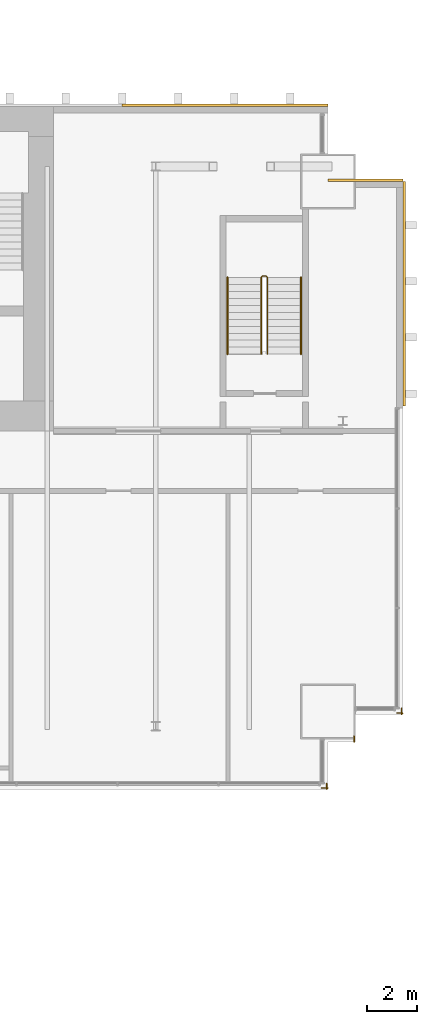
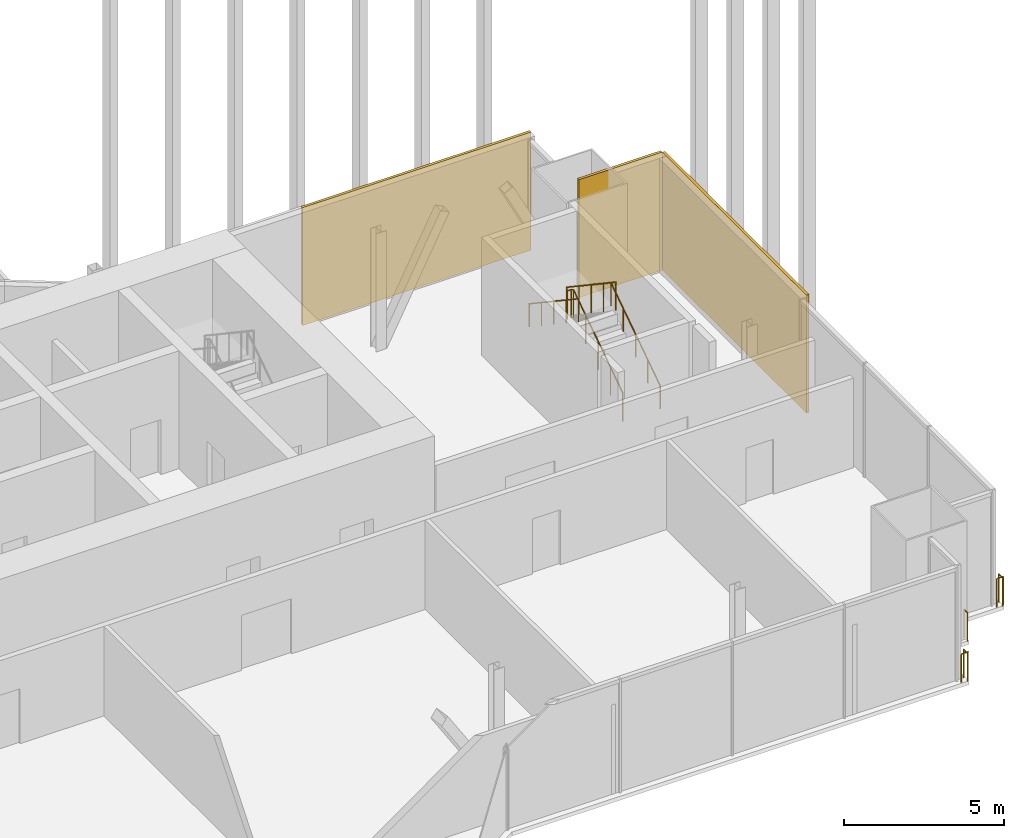
# One storey, part 22 of 22: 6 railings, 3 coverings.
"""IFC4 building model written with IfcOpenShell, lengths in metres."""

import ifcopenshell
import ifcopenshell.guid

model = None  # the IFC model being written
_history = None  # IfcOwnerHistory: only IFC2X3 demands one
_inside = {}  # id of a spatial element -> (the spatial element, [elements in it])
_under = {}  # id of a project, library or spatial element -> (it, [spatial elements below it])
_declared = {}  # id of a project -> (the project, [libraries it declares])
_typed = {}  # id of a type object -> (the type object, [elements of that type])
_made_of = {}  # id of a material, layer set ... -> (it, [elements and type objects made of it])


def new_model(schema):
    """Start an empty IFC model of exactly this schema.

    Asked for "IFC4X3", IfcOpenShell would pick the latest addendum, in which some entities
    have other attributes; the version numbers below select the first issue.
    IFC2X3 requires an IfcOwnerHistory on every rooted entity: one is made here for all.
    """
    global model, _history
    if schema == "IFC4X3":
        model = ifcopenshell.file(schema_version=(4, 3, 0, 0))
    else:
        model = ifcopenshell.file(schema=schema)
    _inside.clear()
    _under.clear()
    _declared.clear()
    _typed.clear()
    _made_of.clear()
    _history = None
    if model.schema == "IFC2X3":
        org = make("IfcOrganization", Name="unknown")
        user = make(
            "IfcPersonAndOrganization",
            ThePerson=make("IfcPerson", FamilyName="unknown"),
            TheOrganization=org,
        )
        app = make(
            "IfcApplication",
            ApplicationDeveloper=org,
            Version="unknown",
            ApplicationFullName="unknown",
            ApplicationIdentifier="unknown",
        )
        _history = make(
            "IfcOwnerHistory",
            OwningUser=user,
            OwningApplication=app,
            ChangeAction="ADDED",
            CreationDate=0,
        )
    return model


def make(cls, **values):
    """One entity of the class cls with the attributes given. An attribute that is None is left unset."""
    return model.create_entity(
        cls, **{name: value for name, value in values.items() if value is not None}
    )


def rooted(cls, **values):
    """An entity with a GlobalId (a new one), such as an element, a storey or a relation."""
    return make(cls, GlobalId=ifcopenshell.guid.new(), OwnerHistory=_history, **values)


def si_unit(unit_type, name, prefix=None):
    """IfcSIUnit, for example si_unit("LENGTHUNIT", "METRE", prefix="MILLI")."""
    return make("IfcSIUnit", UnitType=unit_type, Prefix=prefix, Name=name)


def assignment(units):
    """IfcUnitAssignment: the units of a project."""
    return None if units is None else make("IfcUnitAssignment", Units=units)


def point(xyz):
    """IfcCartesianPoint."""
    return None if xyz is None else make("IfcCartesianPoint", Coordinates=xyz)


def direction(xyz):
    """IfcDirection."""
    return None if xyz is None else make("IfcDirection", DirectionRatios=xyz)


def frame(location, z_axis=None, x_axis=None):
    """IfcAxis2Placement3D, a coordinate frame: its origin and axes. An axis left out is left unset."""
    return make(
        "IfcAxis2Placement3D",
        Location=point(location),
        Axis=direction(z_axis),
        RefDirection=direction(x_axis),
    )


def frame_2d(location, x_axis=None):
    """IfcAxis2Placement2D, a coordinate frame in the plane: its origin and x axis."""
    return make(
        "IfcAxis2Placement2D", Location=point(location), RefDirection=direction(x_axis)
    )


def origin():
    """The frame at (0, 0, 0) with its axes left unset."""
    return frame((0.0, 0.0, 0.0))


def origin_2d():
    """The frame at (0, 0) in the plane with its x axis left unset."""
    return frame_2d((0.0, 0.0))


def place(relative_to, where):
    """IfcLocalPlacement: puts the frame where relative to a parent placement (None: the world)."""
    return make(
        "IfcLocalPlacement", PlacementRelTo=relative_to, RelativePlacement=where
    )


def context(
    kind, dimensions, precision=None, world=None, true_north=None, identifier=None
):
    """IfcGeometricRepresentationContext, for example the 3D "Model" context."""
    return make(
        "IfcGeometricRepresentationContext",
        ContextIdentifier=identifier,
        ContextType=kind,
        CoordinateSpaceDimension=dimensions,
        Precision=precision,
        WorldCoordinateSystem=world,
        TrueNorth=true_north,
    )


def subcontext(parent, identifier, kind, view, scale=None):
    """IfcGeometricRepresentationSubContext, for example "Body" below "Model"."""
    return make(
        "IfcGeometricRepresentationSubContext",
        ContextIdentifier=identifier,
        ContextType=kind,
        ParentContext=parent,
        TargetScale=scale,
        TargetView=view,
    )


def project(units=None, contexts=None):
    """IfcProject with its units and contexts."""
    return rooted(
        "IfcProject",
        Name="project",
        RepresentationContexts=contexts,
        UnitsInContext=assignment(units),
    )


def spatial(cls, under=None, at=None, **own):
    """A site, building, storey or space (cls), placed at a placement, below another one or the project."""
    s = rooted(cls, ObjectPlacement=at, **own)
    if under is not None:
        _under.setdefault(under.id(), (under, []))[1].append(s)
    return s


def profile(cls, at=None, kind="AREA", **sizes):
    """A parametric profile (cls). Its sizes go by their IFC names, for example OverallWidth=200.0."""
    return make(cls, ProfileType=kind, Position=at, **sizes)


def rectangle(**sizes):
    """IfcRectangleProfileDef."""
    return profile("IfcRectangleProfileDef", **sizes)


def circle(**sizes):
    """IfcCircleProfileDef."""
    return profile("IfcCircleProfileDef", **sizes)


def extrude(swept, where, along, depth):
    """IfcExtrudedAreaSolid: the profile swept, set in the frame where, extruded along a direction by depth."""
    return make(
        "IfcExtrudedAreaSolid",
        SweptArea=swept,
        Position=where,
        ExtrudedDirection=direction(along),
        Depth=depth,
    )


def shape(context_of_items, identifier, shape_type, items):
    """IfcShapeRepresentation: the items that make up one representation, for example the "Body"."""
    return make(
        "IfcShapeRepresentation",
        ContextOfItems=context_of_items,
        RepresentationIdentifier=identifier,
        RepresentationType=shape_type,
        Items=items,
    )


def material(Name=None, Category=None):
    """IfcMaterial."""
    return make("IfcMaterial", Name=Name, Category=Category)


def layer(
    of_material, thickness, ventilated=None, Name=None, Category=None, Priority=None
):
    """IfcMaterialLayer: one layer of a wall or slab, of a material (None: an air gap)."""
    return make(
        "IfcMaterialLayer",
        Material=of_material,
        LayerThickness=thickness,
        IsVentilated=ventilated,
        Name=Name,
        Category=Category,
        Priority=Priority,
    )


def layer_set(layers, Name=None):
    """IfcMaterialLayerSet."""
    return make("IfcMaterialLayerSet", MaterialLayers=layers, LayerSetName=Name)


def made_of(thing, what):
    """Note that an element or type object is made of a material, layer set ...; save() writes the relation."""
    if what is not None:
        _made_of.setdefault(what.id(), (what, []))[1].append(thing)
    return thing


def type_object(cls, material=None, **own):
    """A type object (cls), such as IfcWallType, which elements share."""
    return made_of(rooted(cls, **own), material)


def element(
    cls,
    number,
    at=None,
    inside=None,
    cuts=None,
    type_object=None,
    material=None,
    context=None,
    identifier="Body",
    shape_type=None,
    held_by="IfcProductDefinitionShape",
    body=None,
    shapes=None,
    **own,
):
    """One element of the class cls, such as IfcWall. Its Tag is "e" and its number.

    at: its placement. inside: the storey or other place that contains it. cuts: it is an
    opening in that element (IfcRelVoidsElement). A single representation is given by context,
    identifier, shape_type and body (its items); several are given by shapes. held_by: the class
    of the entity that holds the representations. save() writes the other relations.
    """
    e = rooted(cls, Tag="e%d" % number, ObjectPlacement=at, **own)
    if body is not None:
        shapes = [shape(context, identifier, shape_type, body)]
    if shapes is not None:
        e.Representation = make(held_by, Representations=shapes)
    if inside is not None:
        _inside.setdefault(inside.id(), (inside, []))[1].append(e)
    if cuts is not None:
        rooted(
            "IfcRelVoidsElement", RelatingBuildingElement=cuts, RelatedOpeningElement=e
        )
    if type_object is not None:
        _typed.setdefault(type_object.id(), (type_object, []))[1].append(e)
    return made_of(e, material)


def aggregate(whole, parts):
    """IfcRelAggregates: a whole, such as a stair, and the parts it consists of."""
    return rooted("IfcRelAggregates", RelatingObject=whole, RelatedObjects=parts)


def save(model, path):
    """Write the relations noted so far, then the file.

    IfcRelAggregates (storeys below a building ...), IfcRelContainedInSpatialStructure (elements
    in a storey), IfcRelDefinesByType, IfcRelAssociatesMaterial and IfcRelDeclares: one each for
    every whole, place, type object, material and project.
    """
    for whole, parts in _under.values():
        aggregate(whole, parts)
    for where, things in _inside.values():
        rooted(
            "IfcRelContainedInSpatialStructure",
            RelatedElements=things,
            RelatingStructure=where,
        )
    for kind, things in _typed.values():
        rooted("IfcRelDefinesByType", RelatedObjects=things, RelatingType=kind)
    for what, things in _made_of.values():
        rooted("IfcRelAssociatesMaterial", RelatedObjects=things, RelatingMaterial=what)
    for by, libraries in _declared.values():
        rooted("IfcRelDeclares", RelatingContext=by, RelatedDefinitions=libraries)
    model.write(path)


model = new_model("IFC4")

# Units and contexts
model_context = context("Model", 3, precision=1e-05, world=origin(), true_north=direction((0.0, 1.0)))
body_context = subcontext(model_context, "Body", "Model", "MODEL_VIEW")
ifc_project = project(units=[si_unit("LENGTHUNIT", "METRE"), si_unit("AREAUNIT", "SQUARE_METRE"), si_unit("VOLUMEUNIT", "CUBIC_METRE"), si_unit("PLANEANGLEUNIT", "RADIAN"), si_unit("MASSUNIT", "GRAM", prefix="KILO")], contexts=[model_context])

# Site, building, storey
site_placement = place(None, origin())
site = spatial("IfcSite", under=ifc_project, at=site_placement, CompositionType="ELEMENT")
building_placement = place(site_placement, origin())
building = spatial("IfcBuilding", under=site, at=building_placement, Name="Bicima Exchange Tower", CompositionType="ELEMENT")
storey_placement = place(building_placement, frame((0.0, 0.0, 293.0)))
storey = spatial("IfcBuildingStorey", under=building, at=storey_placement, Name="L66", CompositionType="ELEMENT", Elevation=293.0)

# Coverings
ifc_material_1 = material(Name="Bronze metal cladding")
ifc_layer_1 = layer(ifc_material_1, 0.004)
ifc_material_2 = material(Name="Ventilated cavity")
ifc_layer_2 = layer(ifc_material_2, 0.06)
ifc_material_3 = material(Name="Galvanised steel rail and mineral wool", Category="steel")
ifc_layer_3 = layer(ifc_material_3, 0.036)
ifc_layer_set = layer_set([ifc_layer_1, ifc_layer_2, ifc_layer_3], Name="Ventilated cavity")
covering_type = type_object("IfcCoveringType", Name="Bronze metal cladding panel 100", PredefinedType="CLADDING", material=ifc_layer_set)
covering_1_placement = place(storey_placement, frame((28.875, 0.050048828125, -0.14990234375), z_axis=(0.0, 0.0, 1.0), x_axis=(-1.0, 0.0, 0.0)))
element("IfcCovering", 1, at=covering_1_placement, inside=storey, type_object=covering_type, Name="Bronze cladding L66 1.1", PredefinedType="CLADDING", context=body_context, shape_type="SweptSolid", body=[
    extrude(rectangle(XDim=8.25, YDim=0.10009765625, at=origin_2d()), origin(), (0.0, 0.0, 1.0), 4.5),
])
covering_2_placement = place(storey_placement, frame((36.050048828125, -7.5, -0.14990234375), z_axis=(0.0, 0.0, 1.0), x_axis=(0.0, 1.0, 0.0)))
element("IfcCovering", 2, at=covering_2_placement, inside=storey, type_object=covering_type, Name="Bronze cladding L66 50.1", PredefinedType="CLADDING", context=body_context, shape_type="SweptSolid", body=[
    extrude(rectangle(XDim=9.0, YDim=0.10009765625, at=origin_2d()), origin(), (0.0, 0.0, 1.0), 4.5),
])
covering_3_placement = place(storey_placement, frame((34.5, -2.949951171875, -0.14990234375), z_axis=(0.0, 0.0, 1.0), x_axis=(-1.0, 0.0, 0.0)))
element("IfcCovering", 3, at=covering_3_placement, inside=storey, type_object=covering_type, Name="Bronze cladding L66 51.1", PredefinedType="CLADDING", context=body_context, shape_type="SweptSolid", body=[
    extrude(rectangle(XDim=3.0, YDim=0.10009765625, at=origin_2d()), origin(), (0.0, 0.0, 1.0), 4.5),
])

# Railings
ifc_material_4 = material(Name="Stainless steel and bonded safety glass", Category="steel")
railing_type_1 = type_object("IfcRailingType", Name="Edge guard 1100", PredefinedType="GUARDRAIL", material=ifc_material_4)
railing_1_placement = place(storey_placement, frame((35.949951171875, -24.112060546875, 0.0)))
element("IfcRailing", 4, at=railing_1_placement, inside=storey, type_object=railing_type_1, Name="Edge guard L66 338", PredefinedType="GUARDRAIL", context=body_context, shape_type="SweptSolid", body=[
    extrude(circle(Radius=0.02392578125, at=origin_2d()), frame((0.0, 0.0, 1.076171875), z_axis=(0.0, -1.0, 0.0), x_axis=(1.0, 0.0, 0.0)), (0.0, 0.0, 1.0), 0.248046875),
    extrude(circle(Radius=0.02392578125, at=origin_2d()), frame((0.0, -0.248046875, 1.076171875), z_axis=(0.707106781187, 0.707106781187, 0.0), x_axis=(-0.707106781187, 0.707106781187, 0.0)), (0.0, 0.0, 1.0), 0.07080078125),
    extrude(circle(Radius=0.02392578125, at=origin_2d()), frame((0.050048828125, -0.197998046875, 1.076171875), z_axis=(-1.0, 0.0, 0.0), x_axis=(0.0, -1.0, 0.0)), (0.0, 0.0, 1.0), 0.237060546875),
    extrude(circle(Radius=0.02099609375, at=origin_2d()), origin(), (0.0, 0.0, 1.0), 1.052001953125),
    extrude(circle(Radius=0.02099609375, at=origin_2d()), frame((0.0, -0.248046875, 0.0)), (0.0, 0.0, 1.0), 1.052001953125),
    extrude(circle(Radius=0.02099609375, at=origin_2d()), frame((0.050048828125, -0.197998046875, 0.0)), (0.0, 0.0, 1.0), 1.052001953125),
    extrude(circle(Radius=0.02099609375, at=origin_2d()), frame((-0.18701171875, -0.197998046875, 0.0)), (0.0, 0.0, 1.0), 1.052001953125),
])
railing_2_placement = place(storey_placement, frame((34.050048828125, -25.239990234375, 0.0)))
element("IfcRailing", 5, at=railing_2_placement, inside=storey, type_object=railing_type_1, Name="Edge guard L66 339", PredefinedType="GUARDRAIL", context=body_context, shape_type="SweptSolid", body=[
    extrude(circle(Radius=0.02392578125, at=origin_2d()), frame((0.0, 0.0, 1.076171875), z_axis=(0.0, -1.0, 0.0), x_axis=(1.0, 0.0, 0.0)), (0.0, 0.0, 1.0), 0.219970703125),
    extrude(circle(Radius=0.02099609375, at=origin_2d()), origin(), (0.0, 0.0, 1.0), 1.052001953125),
    extrude(circle(Radius=0.02099609375, at=origin_2d()), frame((0.0, -0.219970703125, 0.0)), (0.0, 0.0, 1.0), 1.052001953125),
])
railing_3_placement = place(storey_placement, frame((32.949951171875, -27.1220703125, 0.0)))
element("IfcRailing", 6, at=railing_3_placement, inside=storey, type_object=railing_type_1, Name="Edge guard L66 340", PredefinedType="GUARDRAIL", context=body_context, shape_type="SweptSolid", body=[
    extrude(circle(Radius=0.02392578125, at=origin_2d()), frame((0.0, 0.0, 1.076171875), z_axis=(0.0, -1.0, 0.0), x_axis=(1.0, 0.0, 0.0)), (0.0, 0.0, 1.0), 0.238037109375),
    extrude(circle(Radius=0.02392578125, at=origin_2d()), frame((0.0, -0.238037109375, 1.076171875), z_axis=(0.707106781187, 0.707106781187, 0.0), x_axis=(-0.707106781187, 0.707106781187, 0.0)), (0.0, 0.0, 1.0), 0.07080078125),
    extrude(circle(Radius=0.02392578125, at=origin_2d()), frame((0.050048828125, -0.18798828125, 1.076171875), z_axis=(-1.0, 0.0, 0.0), x_axis=(0.0, -1.0, 0.0)), (0.0, 0.0, 1.0), 0.25),
    extrude(circle(Radius=0.02099609375, at=origin_2d()), origin(), (0.0, 0.0, 1.0), 1.052001953125),
    extrude(circle(Radius=0.02099609375, at=origin_2d()), frame((0.0, -0.238037109375, 0.0)), (0.0, 0.0, 1.0), 1.052001953125),
    extrude(circle(Radius=0.02099609375, at=origin_2d()), frame((0.050048828125, -0.18798828125, 0.0)), (0.0, 0.0, 1.0), 1.052001953125),
    extrude(circle(Radius=0.02099609375, at=origin_2d()), frame((-0.199951171875, -0.18798828125, 0.0)), (0.0, 0.0, 1.0), 1.052001953125),
])
ifc_material_5 = material(Name="Stainless steel", Category="steel")
railing_type_2 = type_object("IfcRailingType", Name="Stair guard 1100", PredefinedType="GUARDRAIL", material=ifc_material_5)
railing_4_placement = place(storey_placement, frame((30.574951171875, -9.925048828125, 0.1875)))
element("IfcRailing", 7, at=railing_4_placement, inside=storey, type_object=railing_type_2, Name="L66 ST-EE stair guard 1", PredefinedType="GUARDRAIL", context=body_context, shape_type="SweptSolid", body=[
    extrude(circle(Radius=0.02392578125, at=origin_2d()), frame((0.0, 0.0, 1.076171875), z_axis=(0.0, 0.830913701846, 0.55640131208), x_axis=(-1.0, 0.0, 0.0)), (0.0, 0.0, 1.0), 3.706787109375),
    extrude(circle(Radius=0.02392578125, at=origin_2d()), frame((0.0, 3.080078125, 3.138671875), z_axis=(-0.707106781187, 0.707106781187, 0.0), x_axis=(-0.707106781187, -0.707106781187, 0.0)), (0.0, 0.0, 1.0), 0.07080078125),
    extrude(circle(Radius=0.02392578125, at=origin_2d()), frame((-0.050048828125, 3.130126953125, 3.138671875), z_axis=(-1.0, 0.0, 0.0), x_axis=(0.0, -1.0, 0.0)), (0.0, 0.0, 1.0), 0.14990234375),
    extrude(circle(Radius=0.02392578125, at=origin_2d()), frame((-0.199951171875, 3.130126953125, 3.138671875), z_axis=(-0.249726431254, -0.249726431254, 0.935560483917), x_axis=(0.707106781187, -0.707106781187, 0.0)), (0.0, 0.0, 1.0), 0.200439453125),
    extrude(circle(Radius=0.02392578125, at=origin_2d()), frame((-0.25, 3.080078125, 3.326171875), z_axis=(0.0, -0.830913701846, 0.55640131208), x_axis=(1.0, 0.0, 0.0)), (0.0, 0.0, 1.0), 3.706787109375),
    extrude(circle(Radius=0.02099609375, at=origin_2d()), origin(), (0.0, 0.0, 1.0), 1.052001953125),
    extrude(circle(Radius=0.02099609375, at=origin_2d()), frame((0.0, 0.77001953125, 0.515625)), (0.0, 0.0, 1.0), 1.052001953125),
    extrude(circle(Radius=0.02099609375, at=origin_2d()), frame((0.0, 1.5400390625, 1.03125)), (0.0, 0.0, 1.0), 1.052001953125),
    extrude(circle(Radius=0.02099609375, at=origin_2d()), frame((0.0, 2.31005859375, 1.546875)), (0.0, 0.0, 1.0), 1.052001953125),
    extrude(circle(Radius=0.02099609375, at=origin_2d()), frame((0.0, 3.080078125, 2.0625)), (0.0, 0.0, 1.0), 1.052001953125),
    extrude(circle(Radius=0.02099609375, at=origin_2d()), frame((-0.050048828125, 3.130126953125, 2.0625)), (0.0, 0.0, 1.0), 1.052001953125),
    extrude(circle(Radius=0.02099609375, at=origin_2d()), frame((-0.199951171875, 3.130126953125, 2.0625)), (0.0, 0.0, 1.0), 1.052001953125),
    extrude(circle(Radius=0.02099609375, at=origin_2d()), frame((-0.25, 3.080078125, 2.25)), (0.0, 0.0, 1.0), 1.052001953125),
    extrude(circle(Radius=0.02099609375, at=origin_2d()), frame((-0.25, 2.31005859375, 2.765625)), (0.0, 0.0, 1.0), 1.052001953125),
    extrude(circle(Radius=0.02099609375, at=origin_2d()), frame((-0.25, 1.5400390625, 3.28125)), (0.0, 0.0, 1.0), 1.052001953125),
    extrude(circle(Radius=0.02099609375, at=origin_2d()), frame((-0.25, 0.77001953125, 3.796875)), (0.0, 0.0, 1.0), 1.052001953125),
    extrude(circle(Radius=0.02099609375, at=origin_2d()), frame((-0.25, 0.0, 4.3125)), (0.0, 0.0, 1.0), 1.052001953125),
])
railing_type_3 = type_object("IfcRailingType", Name="Stair handrail 900", PredefinedType="HANDRAIL", material=ifc_material_5)
railing_5_placement = place(storey_placement, frame((31.925048828125, -9.925048828125, 0.1875)))
element("IfcRailing", 8, at=railing_5_placement, inside=storey, type_object=railing_type_3, Name="L66 ST-EE stair handrail 1", PredefinedType="HANDRAIL", context=body_context, shape_type="SweptSolid", body=[
    extrude(circle(Radius=0.02392578125, at=origin_2d()), frame((0.0, 0.0, 0.8759765625), z_axis=(0.0, 0.830913701846, 0.55640131208), x_axis=(-1.0, 0.0, 0.0)), (0.0, 0.0, 1.0), 3.706787109375),
    extrude(circle(Radius=0.02099609375, at=origin_2d()), origin(), (0.0, 0.0, 1.0), 0.851806640625),
    extrude(circle(Radius=0.02099609375, at=origin_2d()), frame((0.0, 0.77001953125, 0.515625)), (0.0, 0.0, 1.0), 0.851806640625),
    extrude(circle(Radius=0.02099609375, at=origin_2d()), frame((0.0, 1.5400390625, 1.03125)), (0.0, 0.0, 1.0), 0.851806640625),
    extrude(circle(Radius=0.02099609375, at=origin_2d()), frame((0.0, 2.31005859375, 1.546875)), (0.0, 0.0, 1.0), 0.851806640625),
    extrude(circle(Radius=0.02099609375, at=origin_2d()), frame((0.0, 3.080078125, 2.0625)), (0.0, 0.0, 1.0), 0.851806640625),
])
railing_6_placement = place(storey_placement, frame((28.97509765625, -6.844970703125, 2.47900390625)))
element("IfcRailing", 9, at=railing_6_placement, inside=storey, type_object=railing_type_3, Name="L66 ST-EE stair handrail 2", PredefinedType="HANDRAIL", context=body_context, shape_type="SweptSolid", body=[
    extrude(circle(Radius=0.02392578125, at=origin_2d()), frame((0.0, 0.0, 0.8759765625), z_axis=(0.0, -0.830913701846, 0.55640131208), x_axis=(1.0, 0.0, 0.0)), (0.0, 0.0, 1.0), 3.706787109375),
    extrude(circle(Radius=0.02099609375, at=origin_2d()), origin(), (0.0, 0.0, 1.0), 0.851806640625),
    extrude(circle(Radius=0.02099609375, at=origin_2d()), frame((0.0, -0.77001953125, 0.515625)), (0.0, 0.0, 1.0), 0.851806640625),
    extrude(circle(Radius=0.02099609375, at=origin_2d()), frame((0.0, -1.5400390625, 1.03125)), (0.0, 0.0, 1.0), 0.851806640625),
    extrude(circle(Radius=0.02099609375, at=origin_2d()), frame((0.0, -2.31005859375, 1.546875)), (0.0, 0.0, 1.0), 0.851806640625),
    extrude(circle(Radius=0.02099609375, at=origin_2d()), frame((0.0, -3.080078125, 2.0625)), (0.0, 0.0, 1.0), 0.851806640625),
])

save(model, "model.ifc")
